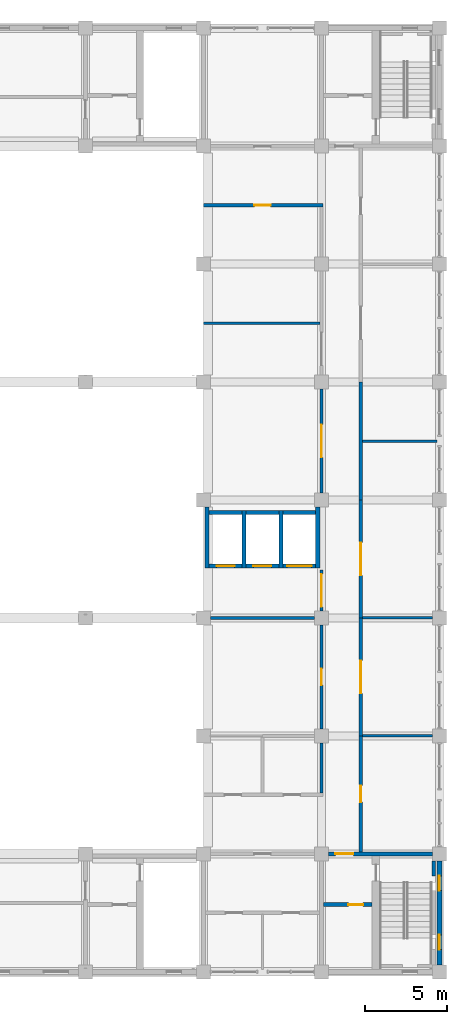
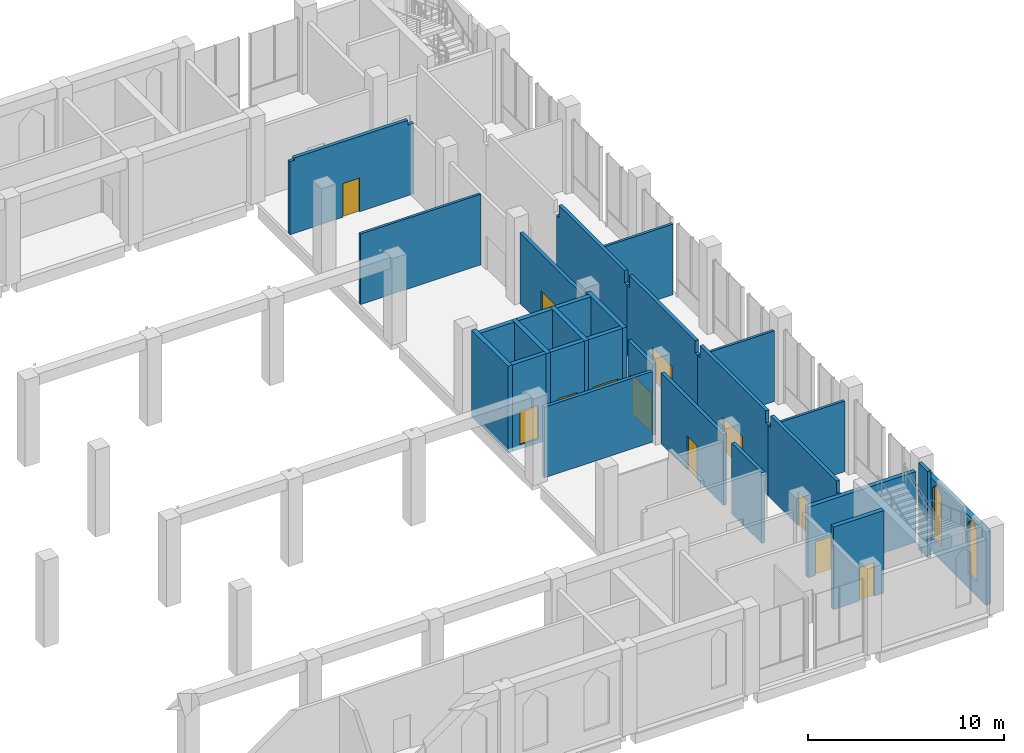
# One storey, part 34 of 48: 28 walls, 12 doors, 2 windows, 14 openings.
"""IFC4 building model written with IfcOpenShell, lengths in metres."""

from ifc_helpers import new_model, si_unit, direction, frame, frame_2d, origin, place, context, subcontext, project, spatial, polyline, rectangle, outline, extrude, material, layer, layer_set, type_object, element, fill, save


model = new_model("IFC4")

# Units and contexts
model_context = context("Model", 3, precision=1e-05, world=origin(), true_north=direction((0.0, 1.0)))
body_context = subcontext(model_context, "Body", "Model", "MODEL_VIEW")
ifc_project = project(units=[si_unit("LENGTHUNIT", "METRE"), si_unit("AREAUNIT", "SQUARE_METRE"), si_unit("VOLUMEUNIT", "CUBIC_METRE"), si_unit("PLANEANGLEUNIT", "RADIAN"), si_unit("MASSUNIT", "GRAM", prefix="KILO")], contexts=[model_context])

# Site, building, storey
site_placement = place(None, origin())
site = spatial("IfcSite", under=ifc_project, at=site_placement, CompositionType="ELEMENT")
building_placement = place(site_placement, origin())
building = spatial("IfcBuilding", under=site, at=building_placement, Name="Silangan Lancet Faculty of Sciences", CompositionType="ELEMENT")
storey_placement = place(building_placement, frame((0.0, 0.0, 6.0)))
storey = spatial("IfcBuildingStorey", under=building, at=storey_placement, Name="L01", CompositionType="ELEMENT", Elevation=6.0)

# Wall, openings, windows
ifc_material_1 = material(Name="Concrete C40/50 precast", Category="concrete")
ifc_layer_1 = layer(ifc_material_1, 0.300048828125)
ifc_layer_set_1 = layer_set([ifc_layer_1], Name="Concrete C40/50 precast")
wall_type_1 = type_object("IfcWallType", Name="EW2 Turret enclosure wall", PredefinedType="STANDARD", material=ifc_layer_set_1)
wall_1_placement = place(storey_placement, frame((86.39990234375, 0.425048828125, 0.0), z_axis=(0.0, 0.0, 1.0), x_axis=(0.0, 1.0, 0.0)))
wall_1 = element("IfcWall", 1, at=wall_1_placement, inside=storey, type_object=wall_type_1, Name="EW-L01-E-EB-00", PredefinedType="STANDARD", context=body_context, shape_type="SweptSolid", body=[
    extrude(rectangle(XDim=6.349853515625, YDim=0.300048828125, at=frame_2d((3.1748046875, 0.0))), origin(), (0.0, 0.0, 1.0), 4.550048828125),
])
opening_1_placement = place(wall_1_placement, frame((0.925048828125, 0.0, 0.89990234375)))
opening_1 = element("IfcOpeningElement", 2, at=opening_1_placement, cuts=wall_1, Name="Opening W5", PredefinedType="OPENING", context=body_context, shape_type="SweptSolid", body=[
    extrude(outline(polyline([(0.0, 0.0), (0.89990234375, 0.0), (0.89990234375, 3.150146484375), (0.449951171875, 3.60009765625), (0.0, 3.150146484375), (0.0, 0.0)])), frame((0.0, 0.159912109375, 0.0), z_axis=(0.0, -1.0, 0.0), x_axis=(1.0, 0.0, 0.0)), (0.0, 0.0, 1.0), 0.320068359375),
])
opening_2_placement = place(wall_1_placement, frame((4.52490234375, 0.0, 0.89990234375)))
opening_2 = element("IfcOpeningElement", 3, at=opening_2_placement, cuts=wall_1, Name="Opening W5", PredefinedType="OPENING", context=body_context, shape_type="SweptSolid", body=[
    extrude(outline(polyline([(0.0, 0.0), (0.89990234375, 0.0), (0.89990234375, 3.150146484375), (0.449951171875, 3.60009765625), (0.0, 3.150146484375), (0.0, 0.0)])), frame((0.0, 0.159912109375, 0.0), z_axis=(0.0, -1.0, 0.0), x_axis=(1.0, 0.0, 0.0)), (0.0, 0.0, 1.0), 0.320068359375),
])
ifc_material_2 = material(Name="Aluminium frame, laminated double glazing", Category="aluminium")
window_type = type_object("IfcWindowType", Name="W5 Lancet window 900 x 3600", PartitioningType="SINGLE_PANEL", PredefinedType="WINDOW", material=ifc_material_2)
window_1_placement = place(opening_1_placement, origin())
window_1 = element("IfcWindow", 4, at=window_1_placement, inside=storey, type_object=window_type, Name="WIN-L01-E-EB-00a", OverallHeight=3.60009765625, OverallWidth=0.89990234375, PartitioningType="SINGLE_PANEL", PredefinedType="WINDOW", context=body_context, shape_type="SweptSolid", body=[
    extrude(outline(polyline([(0.0, 0.0), (0.89990234375, 0.0), (0.89990234375, 3.150146484375), (0.449951171875, 3.60009765625), (0.0, 3.150146484375), (0.0, 0.0)])), frame((0.0, 0.030029296875, 0.0), z_axis=(0.0, -1.0, 0.0), x_axis=(1.0, 0.0, 0.0)), (0.0, 0.0, 1.0), 0.06005859375),
])
fill(opening_1, window_1)
window_2_placement = place(opening_2_placement, origin())
window_2 = element("IfcWindow", 5, at=window_2_placement, inside=storey, type_object=window_type, Name="WIN-L01-E-EB-00b", OverallHeight=3.60009765625, OverallWidth=0.89990234375, PartitioningType="SINGLE_PANEL", PredefinedType="WINDOW", context=body_context, shape_type="SweptSolid", body=[
    extrude(outline(polyline([(0.0, 0.0), (0.89990234375, 0.0), (0.89990234375, 3.150146484375), (0.449951171875, 3.60009765625), (0.0, 3.150146484375), (0.0, 0.0)])), frame((0.0, 0.030029296875, 0.0), z_axis=(0.0, -1.0, 0.0), x_axis=(1.0, 0.0, 0.0)), (0.0, 0.0, 1.0), 0.06005859375),
])
fill(opening_2, window_2)

# Wall, opening, door
ifc_material_3 = material(Name="Hollow block masonry fm 7 MPa", Category="masonry")
ifc_layer_2 = layer(ifc_material_3, 0.199951171875)
ifc_layer_set_2 = layer_set([ifc_layer_2], Name="Hollow block masonry fm 7 MPa")
wall_type_2 = type_object("IfcWallType", Name="Interior wall PW1 Corridor wall CHB 200", PredefinedType="PARTITIONING", material=ifc_layer_set_2)
wall_2_placement = place(storey_placement, frame((72.0, 46.800048828125, 0.0), z_axis=(0.0, 0.0, 1.0), x_axis=(1.0, 0.0, 0.0)))
wall_2 = element("IfcWall", 6, at=wall_2_placement, inside=storey, type_object=wall_type_2, Name="Corridor wall CHB 200", PredefinedType="PARTITIONING", context=body_context, shape_type="SweptSolid", body=[
    extrude(outline(polyline([(0.0, 0.0), (7.300048828125, 0.0), (7.300048828125, 4.39990234375), (6.949951171875, 4.39990234375), (6.949951171875, 4.699951171875), (0.25, 4.699951171875), (0.25, 4.550048828125), (0.0, 4.550048828125), (0.0, 0.0)])), frame((0.0, 0.10009765625, 0.0), z_axis=(0.0, -1.0, 0.0), x_axis=(1.0, 0.0, 0.0)), (0.0, 0.0, 1.0), 0.199951171875),
])
opening_3_placement = place(wall_2_placement, frame((3.10009765625, 0.0, 0.0)))
opening_3 = element("IfcOpeningElement", 7, at=opening_3_placement, cuts=wall_2, Name="Opening L01-044", PredefinedType="OPENING", context=body_context, shape_type="SweptSolid", body=[
    extrude(rectangle(XDim=1.0, YDim=2.10009765625, at=frame_2d((0.5, 1.050048828125))), frame((0.0, 0.10986328125, 0.0), z_axis=(0.0, -1.0, 0.0), x_axis=(1.0, 0.0, 0.0)), (0.0, 0.0, 1.0), 0.219970703125),
])
ifc_material_4 = material(Name="Steel fire door set", Category="steel")
door_type_1 = type_object("IfcDoorType", Name="Door D1 Single leaf fire door 1000 x 2100", OperationType="SINGLE_SWING_LEFT", PredefinedType="DOOR", material=ifc_material_4)
door_1_placement = place(opening_3_placement, frame((1.0, 0.0, 0.0), z_axis=(0.0, 0.0, 1.0), x_axis=(-1.0, 0.0, 0.0)))
door_1 = element("IfcDoor", 8, at=door_1_placement, inside=storey, type_object=door_type_1, Name="Single leaf fire door 1000 x 2100", OperationType="SINGLE_SWING_LEFT", OverallHeight=2.10009765625, OverallWidth=1.0, PredefinedType="DOOR", context=body_context, shape_type="SweptSolid", body=[
    extrude(rectangle(XDim=1.0, YDim=2.10009765625, at=frame_2d((0.5, 1.050048828125))), frame((0.0, 0.025146484375, 0.0), z_axis=(0.0, -1.0, 0.0), x_axis=(1.0, 0.0, 0.0)), (0.0, 0.0, 1.0), 0.050048828125),
])
fill(opening_3, door_1)

# Wall
wall_3_placement = place(storey_placement, frame((79.199951171875, 10.89990234375, 0.0), z_axis=(0.0, 0.0, 1.0), x_axis=(0.0, 1.0, 0.0)))
element("IfcWall", 9, at=wall_3_placement, inside=storey, type_object=wall_type_2, Name="Corridor wall CHB 200", PredefinedType="PARTITIONING", context=body_context, shape_type="SweptSolid", body=[
    extrude(rectangle(XDim=3.0751953125, YDim=0.199951171875, at=frame_2d((1.53759765625, 0.0))), origin(), (0.0, 0.0, 1.0), 4.39990234375),
])

# Wall, opening, door
wall_4_placement = place(storey_placement, frame((79.199951171875, 14.824951171875, 0.0), z_axis=(0.0, 0.0, 1.0), x_axis=(0.0, 1.0, 0.0)))
wall_4 = element("IfcWall", 10, at=wall_4_placement, inside=storey, type_object=wall_type_2, Name="Corridor wall CHB 200", PredefinedType="PARTITIONING", context=body_context, shape_type="SweptSolid", body=[
    extrude(rectangle(XDim=6.35009765625, YDim=0.199951171875, at=frame_2d((3.175048828125, 0.0))), origin(), (0.0, 0.0, 1.0), 4.39990234375),
])
opening_4_placement = place(wall_4_placement, frame((2.675048828125, 0.0, 0.0)))
opening_4 = element("IfcOpeningElement", 11, at=opening_4_placement, cuts=wall_4, Name="Opening L01-041", PredefinedType="OPENING", context=body_context, shape_type="SweptSolid", body=[
    extrude(rectangle(XDim=1.0, YDim=2.10009765625, at=frame_2d((0.5, 1.050048828125))), frame((0.0, 0.10986328125, 0.0), z_axis=(0.0, -1.0, 0.0), x_axis=(1.0, 0.0, 0.0)), (0.0, 0.0, 1.0), 0.219970703125),
])
door_2_placement = place(opening_4_placement, origin())
door_2 = element("IfcDoor", 12, at=door_2_placement, inside=storey, type_object=door_type_1, Name="Single leaf fire door 1000 x 2100", OperationType="SINGLE_SWING_LEFT", OverallHeight=2.10009765625, OverallWidth=1.0, PredefinedType="DOOR", context=body_context, shape_type="SweptSolid", body=[
    extrude(rectangle(XDim=1.0, YDim=2.10009765625, at=frame_2d((0.5, 1.050048828125))), frame((0.0, 0.02490234375, 0.0), z_axis=(0.0, -1.0, 0.0), x_axis=(1.0, 0.0, 0.0)), (0.0, 0.0, 1.0), 0.050048828125),
])
fill(opening_4, door_2)

wall_5_placement = place(storey_placement, frame((79.199951171875, 29.22509765625, 0.0), z_axis=(0.0, 0.0, 1.0), x_axis=(0.0, 1.0, 0.0)))
wall_5 = element("IfcWall", 13, at=wall_5_placement, inside=storey, type_object=wall_type_2, Name="Corridor wall CHB 200", PredefinedType="PARTITIONING", context=body_context, shape_type="SweptSolid", body=[
    extrude(rectangle(XDim=6.349853515625, YDim=0.199951171875, at=frame_2d((3.1748046875, 0.0))), origin(), (0.0, 0.0, 1.0), 4.39990234375),
])
opening_5_placement = place(wall_5_placement, frame((2.1748046875, 0.0, 0.0)))
opening_5 = element("IfcOpeningElement", 14, at=opening_5_placement, cuts=wall_5, Name="Opening L01-042", PredefinedType="OPENING", context=body_context, shape_type="SweptSolid", body=[
    extrude(rectangle(XDim=2.0, YDim=2.10009765625, at=frame_2d((1.0, 1.050048828125))), frame((0.0, 0.10986328125, 0.0), z_axis=(0.0, -1.0, 0.0), x_axis=(1.0, 0.0, 0.0)), (0.0, 0.0, 1.0), 0.219970703125),
])
ifc_material_5 = material(Name="Steel fire door set", Category="steel")
door_type_2 = type_object("IfcDoorType", Name="Door D4 Double leaf fire door 2000 x 2100", OperationType="DOUBLE_DOOR_SINGLE_SWING", PredefinedType="DOOR", material=ifc_material_5)
door_3_placement = place(opening_5_placement, origin())
door_3 = element("IfcDoor", 15, at=door_3_placement, inside=storey, type_object=door_type_2, Name="Double leaf fire door 2000 x 2100", OperationType="DOUBLE_DOOR_SINGLE_SWING", OverallHeight=2.10009765625, OverallWidth=2.0, PredefinedType="DOOR", context=body_context, shape_type="SweptSolid", body=[
    extrude(rectangle(XDim=2.0, YDim=2.10009765625, at=frame_2d((1.0, 1.050048828125))), frame((0.0, 0.02490234375, 0.0), z_axis=(0.0, -1.0, 0.0), x_axis=(1.0, 0.0, 0.0)), (0.0, 0.0, 1.0), 0.050048828125),
])
fill(opening_5, door_3)

wall_6_placement = place(storey_placement, frame((81.60009765625, 7.324951171875, 0.0), z_axis=(0.0, 0.0, 1.0), x_axis=(0.0, 1.0, 0.0)))
wall_6 = element("IfcWall", 16, at=wall_6_placement, inside=storey, type_object=wall_type_2, Name="Corridor wall CHB 200", PredefinedType="PARTITIONING", context=body_context, shape_type="SweptSolid", body=[
    extrude(outline(polyline([(0.0, 0.0), (7.074951171875, 0.0), (7.074951171875, 4.39990234375), (6.824951171875, 4.39990234375), (6.824951171875, 5.14990234375), (0.125, 5.14990234375), (0.125, 4.39990234375), (0.0, 4.39990234375), (0.0, 0.0)])), frame((0.0, 0.10009765625, 0.0), z_axis=(0.0, -1.0, 0.0), x_axis=(1.0, 0.0, 0.0)), (0.0, 0.0, 1.0), 0.199951171875),
])
opening_6_placement = place(wall_6_placement, frame((3.037353515625, 0.0, 0.0)))
opening_6 = element("IfcOpeningElement", 17, at=opening_6_placement, cuts=wall_6, Name="Opening L01-046", PredefinedType="OPENING", context=body_context, shape_type="SweptSolid", body=[
    extrude(rectangle(XDim=1.0, YDim=2.10009765625, at=frame_2d((0.5, 1.050048828125))), frame((0.0, 0.10986328125, 0.0), z_axis=(0.0, -1.0, 0.0), x_axis=(1.0, 0.0, 0.0)), (0.0, 0.0, 1.0), 0.219970703125),
])
door_4_placement = place(opening_6_placement, frame((1.0, 0.0, 0.0), z_axis=(0.0, 0.0, 1.0), x_axis=(-1.0, 0.0, 0.0)))
door_4 = element("IfcDoor", 18, at=door_4_placement, inside=storey, type_object=door_type_1, Name="Single leaf fire door 1000 x 2100", OperationType="SINGLE_SWING_LEFT", OverallHeight=2.10009765625, OverallWidth=1.0, PredefinedType="DOOR", context=body_context, shape_type="SweptSolid", body=[
    extrude(rectangle(XDim=1.0, YDim=2.10009765625, at=frame_2d((0.5, 1.050048828125))), frame((0.0, 0.025146484375, 0.0), z_axis=(0.0, -1.0, 0.0), x_axis=(1.0, 0.0, 0.0)), (0.0, 0.0, 1.0), 0.050048828125),
])
fill(opening_6, door_4)

wall_7_placement = place(storey_placement, frame((81.60009765625, 14.39990234375, 0.0), z_axis=(0.0, 0.0, 1.0), x_axis=(0.0, 1.0, 0.0)))
wall_7 = element("IfcWall", 19, at=wall_7_placement, inside=storey, type_object=wall_type_2, Name="Corridor wall CHB 200", PredefinedType="PARTITIONING", context=body_context, shape_type="SweptSolid", body=[
    extrude(outline(polyline([(0.0, 0.0), (7.2001953125, 0.0), (7.2001953125, 4.39990234375), (6.9501953125, 4.39990234375), (6.9501953125, 5.14990234375), (0.25, 5.14990234375), (0.25, 4.39990234375), (0.0, 4.39990234375), (0.0, 0.0)])), frame((0.0, 0.10009765625, 0.0), z_axis=(0.0, -1.0, 0.0), x_axis=(1.0, 0.0, 0.0)), (0.0, 0.0, 1.0), 0.199951171875),
])
opening_7_placement = place(wall_7_placement, frame((2.60009765625, 0.0, 0.0)))
opening_7 = element("IfcOpeningElement", 20, at=opening_7_placement, cuts=wall_7, Name="Opening L01-047", PredefinedType="OPENING", context=body_context, shape_type="SweptSolid", body=[
    extrude(rectangle(XDim=2.0, YDim=2.10009765625, at=frame_2d((1.0, 1.050048828125))), frame((0.0, 0.10986328125, 0.0), z_axis=(0.0, -1.0, 0.0), x_axis=(1.0, 0.0, 0.0)), (0.0, 0.0, 1.0), 0.219970703125),
])
door_5_placement = place(opening_7_placement, origin())
door_5 = element("IfcDoor", 21, at=door_5_placement, inside=storey, type_object=door_type_2, Name="Double leaf fire door 2000 x 2100", OperationType="DOUBLE_DOOR_SINGLE_SWING", OverallHeight=2.10009765625, OverallWidth=2.0, PredefinedType="DOOR", context=body_context, shape_type="SweptSolid", body=[
    extrude(rectangle(XDim=2.0, YDim=2.10009765625, at=frame_2d((1.0, 1.050048828125))), frame((0.0, 0.02490234375, 0.0), z_axis=(0.0, -1.0, 0.0), x_axis=(1.0, 0.0, 0.0)), (0.0, 0.0, 1.0), 0.050048828125),
])
fill(opening_7, door_5)

wall_8_placement = place(storey_placement, frame((81.60009765625, 21.60009765625, 0.0), z_axis=(0.0, 0.0, 1.0), x_axis=(0.0, 1.0, 0.0)))
wall_8 = element("IfcWall", 22, at=wall_8_placement, inside=storey, type_object=wall_type_2, Name="Corridor wall CHB 200", PredefinedType="PARTITIONING", context=body_context, shape_type="SweptSolid", body=[
    extrude(outline(polyline([(0.0, 0.0), (7.199951171875, 0.0), (7.199951171875, 4.39990234375), (6.949951171875, 4.39990234375), (6.949951171875, 5.14990234375), (0.25, 5.14990234375), (0.25, 4.39990234375), (0.0, 4.39990234375), (0.0, 0.0)])), frame((0.0, 0.10009765625, 0.0), z_axis=(0.0, -1.0, 0.0), x_axis=(1.0, 0.0, 0.0)), (0.0, 0.0, 1.0), 0.199951171875),
])
opening_8_placement = place(wall_8_placement, frame((2.60009765625, 0.0, 0.0)))
opening_8 = element("IfcOpeningElement", 23, at=opening_8_placement, cuts=wall_8, Name="Opening L01-048", PredefinedType="OPENING", context=body_context, shape_type="SweptSolid", body=[
    extrude(rectangle(XDim=2.0, YDim=2.10009765625, at=frame_2d((1.0, 1.050048828125))), frame((0.0, 0.10986328125, 0.0), z_axis=(0.0, -1.0, 0.0), x_axis=(1.0, 0.0, 0.0)), (0.0, 0.0, 1.0), 0.219970703125),
])
door_6_placement = place(opening_8_placement, origin())
door_6 = element("IfcDoor", 24, at=door_6_placement, inside=storey, type_object=door_type_2, Name="Double leaf fire door 2000 x 2100", OperationType="DOUBLE_DOOR_SINGLE_SWING", OverallHeight=2.10009765625, OverallWidth=2.0, PredefinedType="DOOR", context=body_context, shape_type="SweptSolid", body=[
    extrude(rectangle(XDim=2.0, YDim=2.10009765625, at=frame_2d((1.0, 1.050048828125))), frame((0.0, 0.02490234375, 0.0), z_axis=(0.0, -1.0, 0.0), x_axis=(1.0, 0.0, 0.0)), (0.0, 0.0, 1.0), 0.050048828125),
])
fill(opening_8, door_6)

# Walls
wall_9_placement = place(storey_placement, frame((81.60009765625, 28.800048828125, 0.0), z_axis=(0.0, 0.0, 1.0), x_axis=(0.0, 1.0, 0.0)))
element("IfcWall", 25, at=wall_9_placement, inside=storey, type_object=wall_type_2, Name="Corridor wall CHB 200", PredefinedType="PARTITIONING", context=body_context, shape_type="SweptSolid", body=[
    extrude(outline(polyline([(0.0, 0.0), (7.199951171875, 0.0), (7.199951171875, 4.39990234375), (6.949951171875, 4.39990234375), (6.949951171875, 5.14990234375), (0.25, 5.14990234375), (0.25, 4.39990234375), (0.0, 4.39990234375), (0.0, 0.0)])), frame((0.0, 0.10009765625, 0.0), z_axis=(0.0, -1.0, 0.0), x_axis=(1.0, 0.0, 0.0)), (0.0, 0.0, 1.0), 0.199951171875),
])
ifc_material_6 = material(Name="Hollow block masonry fm 7 MPa", Category="masonry")
ifc_layer_3 = layer(ifc_material_6, 0.14990234375)
ifc_layer_set_3 = layer_set([ifc_layer_3], Name="Hollow block masonry fm 7 MPa")
wall_type_3 = type_object("IfcWallType", Name="Interior wall PW3 Partition CHB 150", PredefinedType="PARTITIONING", material=ifc_layer_set_3)
for number, where, z_axis, x_axis, name in (
    (26, (81.699951171875, 14.39990234375, 0.0), (0.0, 0.0, 1.0), (1.0, 0.0, 0.0), "Partition CHB 150"),
    (27, (81.699951171875, 21.60009765625, 0.0), (0.0, 0.0, 1.0), (1.0, 0.0, 0.0), "Partition CHB 150"),
):
    element("IfcWall", number, at=place(storey_placement, frame(where, z_axis=z_axis, x_axis=x_axis)), inside=storey, type_object=wall_type_3, Name=name, PredefinedType="PARTITIONING", context=body_context, shape_type="SweptSolid", body=[
        extrude(rectangle(XDim=4.275146484375, YDim=0.14990234375, at=frame_2d((2.1376953125, 0.0))), origin(), (0.0, 0.0, 1.0), 4.39990234375),
    ])
wall_10_placement = place(storey_placement, frame((81.699951171875, 32.39990234375, 0.0), z_axis=(0.0, 0.0, 1.0), x_axis=(1.0, 0.0, 0.0)))
element("IfcWall", 28, at=wall_10_placement, inside=storey, type_object=wall_type_3, Name="Partition CHB 150", PredefinedType="PARTITIONING", context=body_context, shape_type="SweptSolid", body=[
    extrude(rectangle(XDim=4.550048828125, YDim=0.14990234375, at=frame_2d((2.27490234375, 0.0))), origin(), (0.0, 0.0, 1.0), 4.39990234375),
])
wall_11_placement = place(storey_placement, frame((72.0, 39.60009765625, 0.0), z_axis=(0.0, 0.0, 1.0), x_axis=(1.0, 0.0, 0.0)))
element("IfcWall", 29, at=wall_11_placement, inside=storey, type_object=wall_type_3, Name="Partition CHB 150", PredefinedType="PARTITIONING", context=body_context, shape_type="SweptSolid", body=[
    extrude(rectangle(XDim=7.10009765625, YDim=0.14990234375, at=frame_2d((3.550048828125, 0.0))), origin(), (0.0, 0.0, 1.0), 4.39990234375),
])
ifc_material_7 = material(Name="Hollow block masonry fm 7 MPa", Category="masonry")
ifc_layer_4 = layer(ifc_material_7, 0.199951171875)
ifc_layer_set_4 = layer_set([ifc_layer_4], Name="Hollow block masonry fm 7 MPa")
wall_type_4 = type_object("IfcWallType", Name="Interior wall PW9 Lift lobby wall CHB 200", PredefinedType="PARTITIONING", material=ifc_layer_set_4)
wall_12_placement = place(storey_placement, frame((72.425048828125, 21.60009765625, 0.0), z_axis=(0.0, 0.0, 1.0), x_axis=(1.0, 0.0, 0.0)))
element("IfcWall", 30, at=wall_12_placement, inside=storey, type_object=wall_type_4, Name="Lift lobby wall CHB 200", PredefinedType="PARTITIONING", context=body_context, shape_type="SweptSolid", body=[
    extrude(rectangle(XDim=6.349853515625, YDim=0.199951171875, at=frame_2d((3.1748046875, 0.0))), origin(), (0.0, 0.0, 1.0), 4.39990234375),
])

# Wall, opening, door
wall_13_placement = place(storey_placement, frame((79.199951171875, 22.02490234375, 0.0), z_axis=(0.0, 0.0, 1.0), x_axis=(0.0, 1.0, 0.0)))
wall_13 = element("IfcWall", 31, at=wall_13_placement, inside=storey, type_object=wall_type_4, Name="Lift lobby wall CHB 200", PredefinedType="PARTITIONING", context=body_context, shape_type="SweptSolid", body=[
    extrude(rectangle(XDim=2.5, YDim=0.199951171875, at=frame_2d((1.25, 0.0))), origin(), (0.0, 0.0, 1.0), 4.39990234375),
])
opening_9_placement = place(wall_13_placement, frame((0.25, 0.0, 0.0)))
opening_9 = element("IfcOpeningElement", 32, at=opening_9_placement, cuts=wall_13, Name="Opening L01-007", PredefinedType="OPENING", context=body_context, shape_type="SweptSolid", body=[
    extrude(rectangle(XDim=2.0, YDim=2.39990234375, at=frame_2d((1.0, 1.199951171875))), frame((0.0, 0.10986328125, 0.0), z_axis=(0.0, -1.0, 0.0), x_axis=(1.0, 0.0, 0.0)), (0.0, 0.0, 1.0), 0.219970703125),
])
ifc_material_8 = material(Name="Steel fire door set", Category="steel")
door_type_3 = type_object("IfcDoorType", Name="Door D5 Lift lobby double fire door 2000 x 2400", OperationType="DOUBLE_DOOR_SINGLE_SWING", PredefinedType="DOOR", material=ifc_material_8)
door_7_placement = place(opening_9_placement, origin())
door_7 = element("IfcDoor", 33, at=door_7_placement, inside=storey, type_object=door_type_3, Name="Lift lobby double fire door 2000 x 2400", OperationType="DOUBLE_DOOR_SINGLE_SWING", OverallHeight=2.39990234375, OverallWidth=2.0, PredefinedType="DOOR", context=body_context, shape_type="SweptSolid", body=[
    extrude(rectangle(XDim=2.0, YDim=2.39990234375, at=frame_2d((1.0, 1.199951171875))), frame((0.0, 0.02490234375, 0.0), z_axis=(0.0, -1.0, 0.0), x_axis=(1.0, 0.0, 0.0)), (0.0, 0.0, 1.0), 0.050048828125),
])
fill(opening_9, door_7)

# Walls
ifc_material_9 = material(Name="Concrete C40/50", Category="concrete")
ifc_layer_5 = layer(ifc_material_9, 0.25)
ifc_layer_set_5 = layer_set([ifc_layer_5], Name="Concrete C40/50")
wall_type_5 = type_object("IfcWallType", Name="LIFT SHAFT WALL RC 250", PredefinedType="SHEAR", material=ifc_layer_set_5)
wall_14_placement = place(storey_placement, frame((72.22509765625, 24.64990234375, -0.25), z_axis=(0.0, 0.0, 1.0), x_axis=(0.0, 1.0, 0.0)))
element("IfcWall", 34, at=wall_14_placement, inside=storey, type_object=wall_type_5, Name="WALL-L01-EB-SW1", PredefinedType="SHEAR", context=body_context, shape_type="SweptSolid", body=[
    extrude(rectangle(XDim=3.72509765625, YDim=0.25, at=frame_2d((1.862548828125, 0.0))), origin(), (0.0, 0.0, 1.0), 5.39990234375),
])
for number, where, z_axis, x_axis, name in (
    (35, (74.47509765625, 24.64990234375, -0.25), (0.0, 0.0, 1.0), (0.0, 1.0, 0.0), "WALL-L01-EB-SW2"),
    (36, (76.72509765625, 24.64990234375, -0.25), (0.0, 0.0, 1.0), (0.0, 1.0, 0.0), "WALL-L01-EB-SW3"),
):
    element("IfcWall", number, at=place(storey_placement, frame(where, z_axis=z_axis, x_axis=x_axis)), inside=storey, type_object=wall_type_5, Name=name, PredefinedType="SHEAR", context=body_context, shape_type="SweptSolid", body=[
        extrude(rectangle(XDim=3.5, YDim=0.25, at=frame_2d((1.75, 0.0))), origin(), (0.0, 0.0, 1.0), 5.39990234375),
    ])
wall_15_placement = place(storey_placement, frame((78.97509765625, 24.64990234375, -0.25), z_axis=(0.0, 0.0, 1.0), x_axis=(0.0, 1.0, 0.0)))
element("IfcWall", 37, at=wall_15_placement, inside=storey, type_object=wall_type_5, Name="WALL-L01-EB-SW4", PredefinedType="SHEAR", context=body_context, shape_type="SweptSolid", body=[
    extrude(rectangle(XDim=3.72509765625, YDim=0.25, at=frame_2d((1.862548828125, 0.0))), origin(), (0.0, 0.0, 1.0), 5.39990234375),
])

# Wall, opening, door
wall_16_placement = place(storey_placement, frame((72.35009765625, 24.77490234375, -0.25), z_axis=(0.0, 0.0, 1.0), x_axis=(1.0, 0.0, 0.0)))
wall_16 = element("IfcWall", 38, at=wall_16_placement, inside=storey, type_object=wall_type_5, Name="WALL-L01-EB-L1-F", PredefinedType="SHEAR", context=body_context, shape_type="SweptSolid", body=[
    extrude(rectangle(XDim=2.0, YDim=0.25, at=frame_2d((1.0, 0.0))), origin(), (0.0, 0.0, 1.0), 5.39990234375),
])
opening_10_placement = place(wall_16_placement, frame((0.449951171875, 0.0, 0.25)))
opening_10 = element("IfcOpeningElement", 39, at=opening_10_placement, cuts=wall_16, Name="Opening L01-801", PredefinedType="OPENING", context=body_context, shape_type="SweptSolid", body=[
    extrude(rectangle(XDim=1.10009765625, YDim=2.10009765625, at=frame_2d((0.550048828125, 1.050048828125))), frame((0.0, 0.135009765625, 0.0), z_axis=(0.0, -1.0, 0.0), x_axis=(1.0, 0.0, 0.0)), (0.0, 0.0, 1.0), 0.27001953125),
])
ifc_material_10 = material(Name="Stainless steel sliding door", Category="steel")
door_type_4 = type_object("IfcDoorType", Name="LD1 Lift landing door 1100x2100", OperationType="SLIDING_TO_LEFT", PredefinedType="DOOR", material=ifc_material_10)
door_8_placement = place(opening_10_placement, origin())
door_8 = element("IfcDoor", 40, at=door_8_placement, inside=storey, type_object=door_type_4, Name="Landing door EB-L1 L01", OperationType="SLIDING_TO_LEFT", OverallHeight=2.10009765625, OverallWidth=1.10009765625, PredefinedType="DOOR", context=body_context, shape_type="SweptSolid", body=[
    extrude(rectangle(XDim=1.10009765625, YDim=2.10009765625, at=frame_2d((0.550048828125, 1.050048828125))), frame((0.0, 0.02490234375, 0.0), z_axis=(0.0, -1.0, 0.0), x_axis=(1.0, 0.0, 0.0)), (0.0, 0.0, 1.0), 0.050048828125),
])
fill(opening_10, door_8)

# Wall
wall_17_placement = place(storey_placement, frame((72.35009765625, 28.02490234375, -0.25), z_axis=(0.0, 0.0, 1.0), x_axis=(1.0, 0.0, 0.0)))
element("IfcWall", 41, at=wall_17_placement, inside=storey, type_object=wall_type_5, Name="WALL-L01-EB-L1-B", PredefinedType="SHEAR", context=body_context, shape_type="SweptSolid", body=[
    extrude(rectangle(XDim=2.0, YDim=0.25, at=frame_2d((1.0, 0.0))), origin(), (0.0, 0.0, 1.0), 5.39990234375),
])

# Wall, opening, door
wall_18_placement = place(storey_placement, frame((74.60009765625, 24.77490234375, -0.25), z_axis=(0.0, 0.0, 1.0), x_axis=(1.0, 0.0, 0.0)))
wall_18 = element("IfcWall", 42, at=wall_18_placement, inside=storey, type_object=wall_type_5, Name="WALL-L01-EB-L2-F", PredefinedType="SHEAR", context=body_context, shape_type="SweptSolid", body=[
    extrude(rectangle(XDim=2.0, YDim=0.25, at=frame_2d((1.0, 0.0))), origin(), (0.0, 0.0, 1.0), 5.39990234375),
])
opening_11_placement = place(wall_18_placement, frame((0.449951171875, 0.0, 0.25)))
opening_11 = element("IfcOpeningElement", 43, at=opening_11_placement, cuts=wall_18, Name="Opening L01-802", PredefinedType="OPENING", context=body_context, shape_type="SweptSolid", body=[
    extrude(rectangle(XDim=1.10009765625, YDim=2.10009765625, at=frame_2d((0.550048828125, 1.050048828125))), frame((0.0, 0.135009765625, 0.0), z_axis=(0.0, -1.0, 0.0), x_axis=(1.0, 0.0, 0.0)), (0.0, 0.0, 1.0), 0.27001953125),
])
door_9_placement = place(opening_11_placement, origin())
door_9 = element("IfcDoor", 44, at=door_9_placement, inside=storey, type_object=door_type_4, Name="Landing door EB-L2 L01", OperationType="SLIDING_TO_LEFT", OverallHeight=2.10009765625, OverallWidth=1.10009765625, PredefinedType="DOOR", context=body_context, shape_type="SweptSolid", body=[
    extrude(rectangle(XDim=1.10009765625, YDim=2.10009765625, at=frame_2d((0.550048828125, 1.050048828125))), frame((0.0, 0.02490234375, 0.0), z_axis=(0.0, -1.0, 0.0), x_axis=(1.0, 0.0, 0.0)), (0.0, 0.0, 1.0), 0.050048828125),
])
fill(opening_11, door_9)

# Wall
wall_19_placement = place(storey_placement, frame((74.60009765625, 28.02490234375, -0.25), z_axis=(0.0, 0.0, 1.0), x_axis=(1.0, 0.0, 0.0)))
element("IfcWall", 45, at=wall_19_placement, inside=storey, type_object=wall_type_5, Name="WALL-L01-EB-L2-B", PredefinedType="SHEAR", context=body_context, shape_type="SweptSolid", body=[
    extrude(rectangle(XDim=2.0, YDim=0.25, at=frame_2d((1.0, 0.0))), origin(), (0.0, 0.0, 1.0), 5.39990234375),
])

# Wall, opening, door
wall_20_placement = place(storey_placement, frame((76.85009765625, 24.77490234375, -0.25), z_axis=(0.0, 0.0, 1.0), x_axis=(1.0, 0.0, 0.0)))
wall_20 = element("IfcWall", 46, at=wall_20_placement, inside=storey, type_object=wall_type_5, Name="WALL-L01-EB-L3-F", PredefinedType="SHEAR", context=body_context, shape_type="SweptSolid", body=[
    extrude(rectangle(XDim=2.0, YDim=0.25, at=frame_2d((1.0, 0.0))), origin(), (0.0, 0.0, 1.0), 5.39990234375),
])
opening_12_placement = place(wall_20_placement, frame((0.25, 0.0, 0.25)))
opening_12 = element("IfcOpeningElement", 47, at=opening_12_placement, cuts=wall_20, Name="Opening L01-803", PredefinedType="OPENING", context=body_context, shape_type="SweptSolid", body=[
    extrude(rectangle(XDim=1.5, YDim=2.10009765625, at=frame_2d((0.75, 1.050048828125))), frame((0.0, 0.135009765625, 0.0), z_axis=(0.0, -1.0, 0.0), x_axis=(1.0, 0.0, 0.0)), (0.0, 0.0, 1.0), 0.27001953125),
])
ifc_material_11 = material(Name="Steel sliding door", Category="steel")
door_type_5 = type_object("IfcDoorType", Name="LD2 Lift landing door 1500x2100", OperationType="SLIDING_TO_LEFT", PredefinedType="DOOR", material=ifc_material_11)
door_10_placement = place(opening_12_placement, origin())
door_10 = element("IfcDoor", 48, at=door_10_placement, inside=storey, type_object=door_type_5, Name="Landing door EB-L3 L01", OperationType="SLIDING_TO_LEFT", OverallHeight=2.10009765625, OverallWidth=1.5, PredefinedType="DOOR", context=body_context, shape_type="SweptSolid", body=[
    extrude(rectangle(XDim=1.5, YDim=2.10009765625, at=frame_2d((0.75, 1.050048828125))), frame((0.0, 0.02490234375, 0.0), z_axis=(0.0, -1.0, 0.0), x_axis=(1.0, 0.0, 0.0)), (0.0, 0.0, 1.0), 0.050048828125),
])
fill(opening_12, door_10)

# Walls
wall_21_placement = place(storey_placement, frame((76.85009765625, 28.02490234375, -0.25), z_axis=(0.0, 0.0, 1.0), x_axis=(1.0, 0.0, 0.0)))
element("IfcWall", 49, at=wall_21_placement, inside=storey, type_object=wall_type_5, Name="WALL-L01-EB-L3-B", PredefinedType="SHEAR", context=body_context, shape_type="SweptSolid", body=[
    extrude(rectangle(XDim=2.0, YDim=0.25, at=frame_2d((1.0, 0.0))), origin(), (0.0, 0.0, 1.0), 5.39990234375),
])
ifc_material_12 = material(Name="Concrete C40/50", Category="concrete")
ifc_layer_6 = layer(ifc_material_12, 0.199951171875)
ifc_layer_set_6 = layer_set([ifc_layer_6], Name="Concrete C40/50")
wall_type_6 = type_object("IfcWallType", Name="TURRET LINING WALL RC 200", PredefinedType="SHEAR", material=ifc_layer_set_6)
wall_22_placement = place(storey_placement, frame((86.050048828125, 5.85009765625, -0.25), z_axis=(0.0, 0.0, 1.0), x_axis=(0.0, 1.0, 0.0)))
element("IfcWall", 50, at=wall_22_placement, inside=storey, type_object=wall_type_6, Name="WALL-L01-EB-A-WL-3", PredefinedType="SHEAR", context=body_context, shape_type="SweptSolid", body=[
    extrude(rectangle(XDim=0.9248046875, YDim=0.199951171875, at=frame_2d((0.46240234375, 0.0))), origin(), (0.0, 0.0, 1.0), 5.39990234375),
])

# Wall, opening, door
ifc_material_13 = material(Name="Concrete C40/50", Category="concrete")
ifc_layer_7 = layer(ifc_material_13, 0.25)
ifc_layer_set_7 = layer_set([ifc_layer_7], Name="Concrete C40/50")
wall_type_7 = type_object("IfcWallType", Name="TURRET WALL RC 250", PredefinedType="SHEAR", material=ifc_layer_set_7)
wall_23_placement = place(storey_placement, frame((79.625, 7.199951171875, 0.0), z_axis=(0.0, 0.0, 1.0), x_axis=(1.0, 0.0, 0.0)))
wall_23 = element("IfcWall", 51, at=wall_23_placement, inside=storey, type_object=wall_type_7, Name="WALL-L01-EB-A-V", PredefinedType="SHEAR", context=body_context, shape_type="SweptSolid", body=[
    extrude(rectangle(XDim=6.35009765625, YDim=0.25, at=frame_2d((3.175048828125, 0.0))), origin(), (0.0, 0.0, 1.0), 4.39990234375),
])
opening_13_placement = place(wall_23_placement, frame((0.425048828125, 0.0, 0.0)))
opening_13 = element("IfcOpeningElement", 52, at=opening_13_placement, cuts=wall_23, Name="Opening L01-702", PredefinedType="OPENING", context=body_context, shape_type="SweptSolid", body=[
    extrude(rectangle(XDim=1.10009765625, YDim=2.10009765625, at=frame_2d((0.550048828125, 1.050048828125))), frame((0.0, 0.135009765625, 0.0), z_axis=(0.0, -1.0, 0.0), x_axis=(1.0, 0.0, 0.0)), (0.0, 0.0, 1.0), 0.27001953125),
])
ifc_material_14 = material(Name="Steel fire door set", Category="steel")
door_type_6 = type_object("IfcDoorType", Name="D70 Stair vestibule door 1100x2100", OperationType="SINGLE_SWING_LEFT", PredefinedType="DOOR", material=ifc_material_14)
door_11_placement = place(opening_13_placement, frame((1.10009765625, 0.0, 0.0), z_axis=(0.0, 0.0, 1.0), x_axis=(-1.0, 0.0, 0.0)))
door_11 = element("IfcDoor", 53, at=door_11_placement, inside=storey, type_object=door_type_6, Name="Stair vestibule door EB-A L01", OperationType="SINGLE_SWING_RIGHT", OverallHeight=2.10009765625, OverallWidth=1.10009765625, PredefinedType="DOOR", context=body_context, shape_type="SweptSolid", body=[
    extrude(rectangle(XDim=1.10009765625, YDim=2.10009765625, at=frame_2d((0.550048828125, 1.050048828125))), frame((0.0, 0.025146484375, 0.0), z_axis=(0.0, -1.0, 0.0), x_axis=(1.0, 0.0, 0.0)), (0.0, 0.0, 1.0), 0.050048828125),
])
fill(opening_13, door_11)

wall_24_placement = place(storey_placement, frame((79.324951171875, 4.10009765625, 0.0), z_axis=(0.0, 0.0, 1.0), x_axis=(1.0, 0.0, 0.0)))
wall_24 = element("IfcWall", 54, at=wall_24_placement, inside=storey, type_object=wall_type_7, Name="WALL-L01-EB-A-RISER", PredefinedType="SHEAR", context=body_context, shape_type="SweptSolid", body=[
    extrude(rectangle(XDim=2.97509765625, YDim=0.25, at=frame_2d((1.487548828125, 0.0))), origin(), (0.0, 0.0, 1.0), 5.14990234375),
])
opening_14_placement = place(wall_24_placement, frame((1.52490234375, 0.0, 0.0)))
opening_14 = element("IfcOpeningElement", 55, at=opening_14_placement, cuts=wall_24, Name="Opening L01-703", PredefinedType="OPENING", context=body_context, shape_type="SweptSolid", body=[
    extrude(rectangle(XDim=0.89990234375, YDim=2.10009765625, at=frame_2d((0.449951171875, 1.050048828125))), frame((0.0, 0.135009765625, 0.0), z_axis=(0.0, -1.0, 0.0), x_axis=(1.0, 0.0, 0.0)), (0.0, 0.0, 1.0), 0.27001953125),
])
ifc_material_15 = material(Name="Steel fire door set", Category="steel")
door_type_7 = type_object("IfcDoorType", Name="D72 Riser access door 900x2100", OperationType="SINGLE_SWING_LEFT", PredefinedType="DOOR", material=ifc_material_15)
door_12_placement = place(opening_14_placement, frame((0.89990234375, 0.0, 0.0), z_axis=(0.0, 0.0, 1.0), x_axis=(-1.0, 0.0, 0.0)))
door_12 = element("IfcDoor", 56, at=door_12_placement, inside=storey, type_object=door_type_7, Name="Riser access door EB-A L01", OperationType="SINGLE_SWING_RIGHT", OverallHeight=2.10009765625, OverallWidth=0.89990234375, PredefinedType="DOOR", context=body_context, shape_type="SweptSolid", body=[
    extrude(rectangle(XDim=0.89990234375, YDim=2.10009765625, at=frame_2d((0.449951171875, 1.050048828125))), frame((0.0, 0.025146484375, 0.0), z_axis=(0.0, -1.0, 0.0), x_axis=(1.0, 0.0, 0.0)), (0.0, 0.0, 1.0), 0.050048828125),
])
fill(opening_14, door_12)

save(model, "model.ifc")
